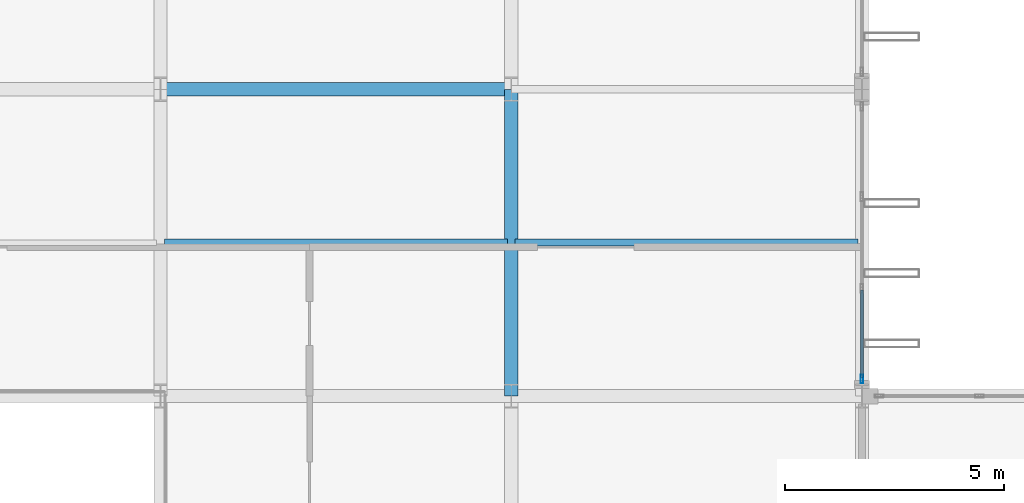
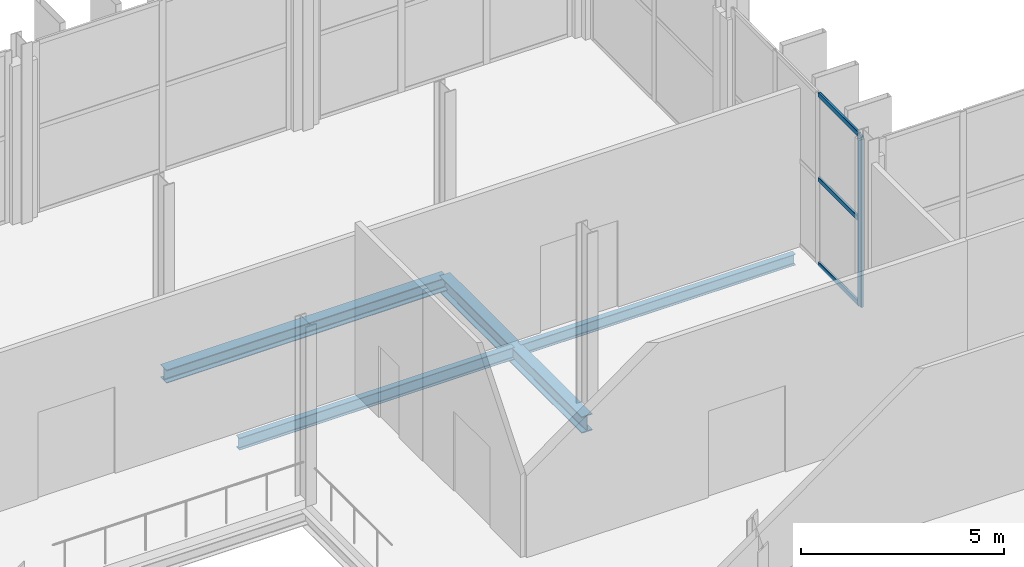
# One storey, part 61 of 147: 4 beams, 4 members, 1 element without a shape of its own.
"""IFC4 building model written with IfcOpenShell, lengths in metres."""

from ifc_helpers import new_model, si_unit, direction, frame, origin, origin_2d, place, context, subcontext, project, spatial, hollow_rectangle, i_section, extrude, material, layer, layer_set, material_profile, profile_set, type_object, element, aggregate, save


model = new_model("IFC4")

# Units and contexts
model_context = context("Model", 3, precision=1e-05, world=origin(), true_north=direction((0.0, 1.0)))
body_context = subcontext(model_context, "Body", "Model", "MODEL_VIEW")
ifc_project = project(units=[si_unit("LENGTHUNIT", "METRE"), si_unit("AREAUNIT", "SQUARE_METRE"), si_unit("VOLUMEUNIT", "CUBIC_METRE"), si_unit("PLANEANGLEUNIT", "RADIAN"), si_unit("MASSUNIT", "GRAM", prefix="KILO")], contexts=[model_context])

# Site, building, storey
site_placement = place(None, origin())
site = spatial("IfcSite", under=ifc_project, at=site_placement, CompositionType="ELEMENT")
building_placement = place(site_placement, origin())
building = spatial("IfcBuilding", under=site, at=building_placement, Name="Vekula Escarpment Museum", CompositionType="ELEMENT")
storey_placement = place(building_placement, frame((0.0, 0.0, 7.800048828125)))
storey = spatial("IfcBuildingStorey", under=building, at=storey_placement, Name="L02", CompositionType="ELEMENT", Elevation=7.800048828125)

# Beams
ifc_material_1 = material(Name="Steel S355", Category="steel")
ifc_material_profile_1 = material_profile(ifc_material_1, i_section(OverallWidth=0.300048828125, OverallDepth=0.39990234375, WebThickness=0.013427734375, FlangeThickness=0.02392578125, FilletRadius=0.027099609375, at=origin_2d()), Name="HEB 400")
ifc_profile_set_1 = profile_set([ifc_material_profile_1], Name="Steel S355")
beam_type_1 = type_object("IfcBeamType", Name="BM-GIRD-HEB400", PredefinedType="BEAM", material=ifc_profile_set_1)
beam_1_placement = place(storey_placement, frame((110.0, 83.39990234375, -0.4599609375), z_axis=(1.0, 0.0, 0.0), x_axis=(0.0, 1.0, 0.0)))
element("IfcBeam", 1, at=beam_1_placement, inside=storey, type_object=beam_type_1, Name="Beam X L02 0945", PredefinedType="BEAM", context=body_context, shape_type="SweptSolid", body=[
    extrude(i_section(OverallWidth=0.300048828125, OverallDepth=0.39990234375, WebThickness=0.013427734375, FlangeThickness=0.02392578125, FilletRadius=0.027099609375, at=origin_2d()), origin(), (0.0, 0.0, 1.0), 8.0),
])
ifc_material_2 = material(Name="Steel S355", Category="steel")
ifc_material_profile_2 = material_profile(ifc_material_2, i_section(OverallWidth=0.300048828125, OverallDepth=0.5, WebThickness=0.014404296875, FlangeThickness=0.028076171875, FilletRadius=0.027099609375, at=origin_2d()), Name="HEB 500")
ifc_profile_set_2 = profile_set([ifc_material_profile_2], Name="Steel S355")
beam_type_2 = type_object("IfcBeamType", Name="BM-GIRD-HEB500", PredefinedType="BEAM", material=ifc_profile_set_2)
beam_2_placement = place(storey_placement, frame((118.0, 76.39990234375, -0.510009765625), z_axis=(0.0, 1.0, 0.0), x_axis=(-1.0, 0.0, 0.0)))
element("IfcBeam", 2, at=beam_2_placement, inside=storey, type_object=beam_type_2, Name="Beam Y L02 1199", PredefinedType="BEAM", context=body_context, shape_type="SweptSolid", body=[
    extrude(i_section(OverallWidth=0.300048828125, OverallDepth=0.5, WebThickness=0.014404296875, FlangeThickness=0.028076171875, FilletRadius=0.027099609375, at=origin_2d()), origin(), (0.0, 0.0, 1.0), 7.0),
])
ifc_material_3 = material(Name="Steel S355", Category="steel")
ifc_material_profile_3 = material_profile(ifc_material_3, i_section(OverallWidth=0.159912109375, OverallDepth=0.330078125, WebThickness=0.007568359375, FlangeThickness=0.011474609375, FilletRadius=0.01806640625, at=origin_2d()), Name="IPE 330")
ifc_profile_set_3 = profile_set([ifc_material_profile_3], Name="Steel S355")
beam_type_3 = type_object("IfcBeamType", Name="BM-JST-IPE330", PredefinedType="JOIST", material=ifc_profile_set_3)
beam_3_placement = place(storey_placement, frame((118.090087890625, 79.89990234375, -0.425048828125), z_axis=(1.0, 0.0, 0.0), x_axis=(0.0, 1.0, 0.0)))
element("IfcBeam", 3, at=beam_3_placement, inside=storey, type_object=beam_type_3, Name="Secondary Joist L02 0821", PredefinedType="JOIST", context=body_context, shape_type="SweptSolid", body=[
    extrude(i_section(OverallWidth=0.159912109375, OverallDepth=0.330078125, WebThickness=0.007568359375, FlangeThickness=0.011474609375, FilletRadius=0.01806640625, at=origin_2d()), origin(), (0.0, 0.0, 1.0), 7.81982421875),
])
ifc_material_4 = material(Name="Steel S355", Category="steel")
ifc_material_profile_4 = material_profile(ifc_material_4, i_section(OverallWidth=0.169921875, OverallDepth=0.360107421875, WebThickness=0.008056640625, FlangeThickness=0.0126953125, FilletRadius=0.01806640625, at=origin_2d()), Name="IPE 360")
ifc_profile_set_4 = profile_set([ifc_material_profile_4], Name="Steel S355")
beam_type_4 = type_object("IfcBeamType", Name="BM-JST-IPE360", PredefinedType="JOIST", material=ifc_profile_set_4)
beam_4_placement = place(storey_placement, frame((110.090087890625, 79.89990234375, -0.43994140625), z_axis=(1.0, 0.0, 0.0), x_axis=(0.0, 1.0, 0.0)))
element("IfcBeam", 4, at=beam_4_placement, inside=storey, type_object=beam_type_4, Name="Secondary Joist L02 0812", PredefinedType="JOIST", context=body_context, shape_type="SweptSolid", body=[
    extrude(i_section(OverallWidth=0.169921875, OverallDepth=0.360107421875, WebThickness=0.008056640625, FlangeThickness=0.0126953125, FilletRadius=0.01806640625, at=origin_2d()), origin(), (0.0, 0.0, 1.0), 7.81982421875),
])

# Curtain wall, members
ifc_material_5 = material(Name="Aluminium thermally broken framing", Category="aluminium")
ifc_layer = layer(ifc_material_5, 0.199951171875)
ifc_layer_set = layer_set([ifc_layer], Name="Aluminium thermally broken framing")
curtain_wall_type = type_object("IfcCurtainWallType", Name="CW-SYS-04", PredefinedType="NOTDEFINED", material=ifc_layer_set)
curtain_wall_placement = place(storey_placement, origin())
curtain_wall = element("IfcCurtainWall", 5, at=curtain_wall_placement, inside=storey, type_object=curtain_wall_type, Name="Curtain Wall CW-L02-074", PredefinedType="NOTDEFINED")
ifc_material_6 = material(Name="Aluminium anodized mullion", Category="aluminium")
ifc_material_profile_5 = material_profile(ifc_material_6, hollow_rectangle(XDim=0.06494140625, YDim=0.199951171875, WallThickness=0.00390625, InnerFilletRadius=0.00390625, OuterFilletRadius=0.008056640625, at=origin_2d()), Name="ALU 200x65x4")
ifc_profile_set_5 = profile_set([ifc_material_profile_5], Name="Aluminium anodized mullion")
member_type_1 = type_object("IfcMemberType", Name="CW-MUL-200", PredefinedType="MULLION", material=ifc_profile_set_5)
member_1_placement = place(storey_placement, frame((126.0, 76.79248046875, 0.0), z_axis=(0.0, 0.0, 1.0), x_axis=(-1.0, 0.0, 0.0)))
member_1 = element("IfcMember", 6, at=member_1_placement, type_object=member_type_1, Name="CW-04 mullion 1", PredefinedType="MULLION", context=body_context, shape_type="SweptSolid", body=[
    extrude(hollow_rectangle(XDim=0.06494140625, YDim=0.199951171875, WallThickness=0.00390625, InnerFilletRadius=0.00390625, OuterFilletRadius=0.008056640625, at=origin_2d()), origin(), (0.0, 0.0, 1.0), 5.14990234375),
])
ifc_material_7 = material(Name="Aluminium anodized transom", Category="aluminium")
ifc_material_profile_6 = material_profile(ifc_material_7, hollow_rectangle(XDim=0.06494140625, YDim=0.139892578125, WallThickness=0.00390625, InnerFilletRadius=0.00390625, OuterFilletRadius=0.008056640625, at=origin_2d()), Name="ALU 140x65x4")
ifc_profile_set_6 = profile_set([ifc_material_profile_6], Name="Aluminium anodized transom")
member_type_2 = type_object("IfcMemberType", Name="CW-TRN-140", PredefinedType="USERDEFINED", material=ifc_profile_set_6)
member_2_placement = place(storey_placement, frame((126.0, 76.824951171875, 0.032470703125), z_axis=(0.0, 1.0, 0.0), x_axis=(-1.0, 0.0, 0.0)))
member_2 = element("IfcMember", 7, at=member_2_placement, type_object=member_type_2, Name="CW-04 transom 1.1", ObjectType="TRANSOM", PredefinedType="USERDEFINED", context=body_context, shape_type="SweptSolid", body=[
    extrude(hollow_rectangle(XDim=0.06494140625, YDim=0.139892578125, WallThickness=0.00390625, InnerFilletRadius=0.00390625, OuterFilletRadius=0.008056640625, at=origin_2d()), origin(), (0.0, 0.0, 1.0), 1.995849609375),
])
member_3_placement = place(storey_placement, frame((126.0, 76.824951171875, 2.574951171875), z_axis=(0.0, 1.0, 0.0), x_axis=(-1.0, 0.0, 0.0)))
member_3 = element("IfcMember", 8, at=member_3_placement, type_object=member_type_2, Name="CW-04 transom 1.2", ObjectType="TRANSOM", PredefinedType="USERDEFINED", context=body_context, shape_type="SweptSolid", body=[
    extrude(hollow_rectangle(XDim=0.06494140625, YDim=0.139892578125, WallThickness=0.00390625, InnerFilletRadius=0.00390625, OuterFilletRadius=0.008056640625, at=origin_2d()), origin(), (0.0, 0.0, 1.0), 1.995849609375),
])
member_4_placement = place(storey_placement, frame((126.0, 76.824951171875, 5.117431640625), z_axis=(0.0, 1.0, 0.0), x_axis=(-1.0, 0.0, 0.0)))
member_4 = element("IfcMember", 9, at=member_4_placement, type_object=member_type_2, Name="CW-04 transom 1.3", ObjectType="TRANSOM", PredefinedType="USERDEFINED", context=body_context, shape_type="SweptSolid", body=[
    extrude(hollow_rectangle(XDim=0.06494140625, YDim=0.139892578125, WallThickness=0.00390625, InnerFilletRadius=0.00390625, OuterFilletRadius=0.008056640625, at=origin_2d()), origin(), (0.0, 0.0, 1.0), 1.995849609375),
])
aggregate(curtain_wall, [member_1, member_2, member_3, member_4])

save(model, "model.ifc")
